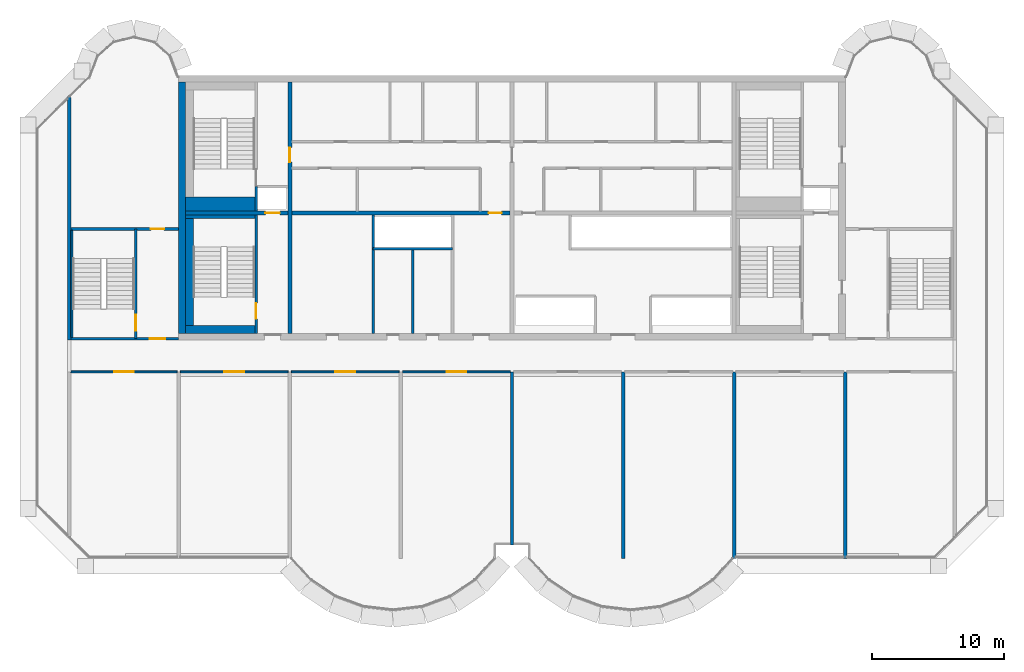
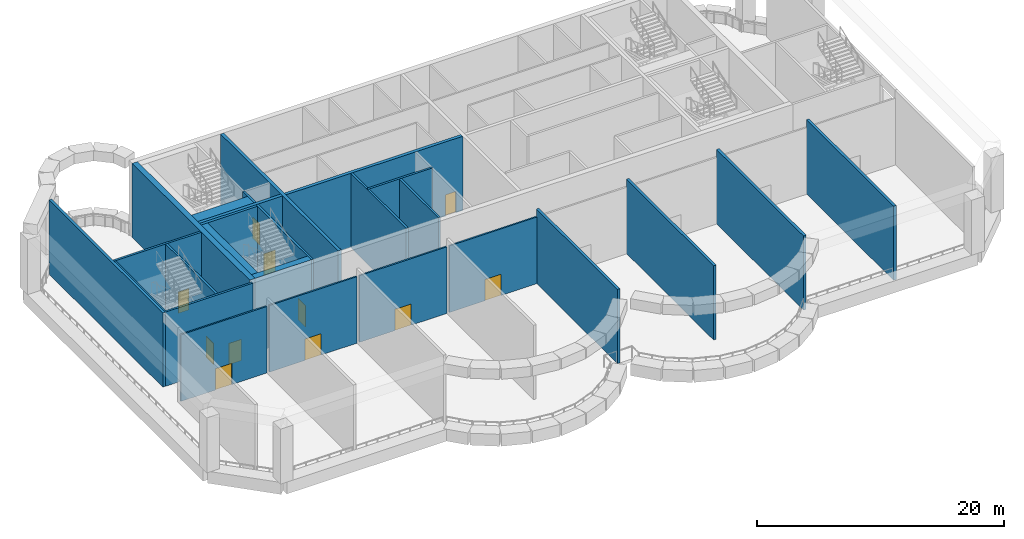
# One storey, part 2 of 11: 26 walls, 11 doors, 11 openings.
"""IFC4 building model written with IfcOpenShell, lengths in metres."""

from ifc_helpers import new_model, si_unit, direction, frame, frame_2d, origin, place, context, subcontext, project, spatial, rectangle, extrude, source, transform, mapped, material, layer, layer_set, type_object, element, fill, save


model = new_model("IFC4")

# Units and contexts
model_context = context("Model", 3, precision=1e-05, world=origin(), true_north=direction((0.0, 1.0)))
body_context = subcontext(model_context, "Body", "Model", "MODEL_VIEW")
ifc_project = project(units=[si_unit("LENGTHUNIT", "METRE"), si_unit("AREAUNIT", "SQUARE_METRE"), si_unit("VOLUMEUNIT", "CUBIC_METRE"), si_unit("PLANEANGLEUNIT", "RADIAN"), si_unit("MASSUNIT", "GRAM", prefix="KILO")], contexts=[model_context])

# Site, building, storey
site_placement = place(None, origin())
site = spatial("IfcSite", under=ifc_project, at=site_placement, CompositionType="ELEMENT")
building_placement = place(site_placement, origin())
building = spatial("IfcBuilding", under=site, at=building_placement, Name="Vanashikhar Sky Hotel", CompositionType="ELEMENT")
storey_placement = place(building_placement, frame((0.0, 0.0, 270.10009765625)))
storey = spatial("IfcBuildingStorey", under=building, at=storey_placement, Name="L65", CompositionType="ELEMENT", Elevation=270.10009765625)

# Wall
ifc_material_1 = material(Name="Concrete M50", Category="concrete")
ifc_layer_1 = layer(ifc_material_1, 0.5)
ifc_layer_set_1 = layer_set([ifc_layer_1], Name="RC core shell wall 500 Concrete M50")
wall_type_1 = type_object("IfcWallType", Name="RC core shell wall 500 Concrete M50", PredefinedType="SHEAR", material=ifc_layer_set_1)
shared_shape_1 = source(origin(), body_context, "Body", "SweptSolid", [
    extrude(rectangle(XDim=19.0, YDim=0.5, at=frame_2d((9.5, 0.0))), origin(), (0.0, 0.0, 1.0), 7.31982421875),
])
wall_1_placement = place(storey_placement, frame((25.449951171875, 22.5, 0.0), z_axis=(0.0, 0.0, 1.0), x_axis=(0.0, 1.0, 0.0)))
element("IfcWall", 1, at=wall_1_placement, inside=storey, type_object=wall_type_1, Name="KW-L65-KW", PredefinedType="SHEAR", context=body_context, shape_type="MappedRepresentation", body=[
    mapped(shared_shape_1, transform((0.0, 0.0, 0.0), scale=1.0)),
])

# Wall, opening, door
ifc_layer_2 = layer(ifc_material_1, 0.300048828125)
ifc_layer_set_2 = layer_set([ifc_layer_2], Name="RC core inner wall 300 Concrete M50")
wall_type_2 = type_object("IfcWallType", Name="RC core inner wall 300 Concrete M50", PredefinedType="SHEAR", material=ifc_layer_set_2)
shared_shape_2 = source(origin(), body_context, "Body", "SweptSolid", [
    extrude(rectangle(XDim=19.0, YDim=0.300048828125, at=frame_2d((9.5, 0.0))), origin(), (0.0, 0.0, 1.0), 7.31982421875),
])
wall_2_placement = place(storey_placement, frame((33.60009765625, 22.5, 0.0), z_axis=(0.0, 0.0, 1.0), x_axis=(0.0, 1.0, 0.0)))
wall_2 = element("IfcWall", 2, at=wall_2_placement, inside=storey, type_object=wall_type_2, Name="KW-L65-KX1", PredefinedType="SHEAR", context=body_context, shape_type="MappedRepresentation", body=[
    mapped(shared_shape_2, transform((0.0, 0.0, 0.0), scale=1.0)),
])
shared_shape_3 = source(origin(), body_context, "Body", "SweptSolid", [
    extrude(rectangle(XDim=1.10009765625, YDim=2.10009765625, at=frame_2d((0.550048828125, 1.050048828125))), frame((0.0, 0.16015625, 0.0), z_axis=(0.0, -1.0, 0.0), x_axis=(1.0, 0.0, 0.0)), (0.0, 0.0, 1.0), 0.320068359375),
])
opening_1_placement = place(wall_2_placement, frame((12.949951171875, 0.0, 0.0)))
opening_1 = element("IfcOpeningElement", 3, at=opening_1_placement, cuts=wall_2, Name="Opening DC-4-C", PredefinedType="OPENING", context=body_context, shape_type="MappedRepresentation", body=[
    mapped(shared_shape_3, transform((0.0, 0.0, 0.0), scale=1.0)),
])
ifc_material_2 = material(Name="Steel", Category="steel")
door_type_1 = type_object("IfcDoorType", Name="Service door 1100 FD60", OperationType="NOTDEFINED", PredefinedType="DOOR", material=ifc_material_2)
shared_shape_4 = source(origin(), body_context, "Body", "SweptSolid", [
    extrude(rectangle(XDim=1.10009765625, YDim=2.10009765625, at=frame_2d((0.550048828125, 1.050048828125))), frame((0.0, 0.02490234375, 0.0), z_axis=(0.0, -1.0, 0.0), x_axis=(1.0, 0.0, 0.0)), (0.0, 0.0, 1.0), 0.050048828125),
])
door_1_placement = place(opening_1_placement, origin())
door_1 = element("IfcDoor", 4, at=door_1_placement, inside=storey, type_object=door_type_1, Name="Service door 1100 FD60", OperationType="SINGLE_SWING_LEFT", OverallHeight=2.10009765625, OverallWidth=1.10009765625, PredefinedType="DOOR", context=body_context, shape_type="MappedRepresentation", body=[
    mapped(shared_shape_4, transform((0.0, 0.0, 0.0), scale=1.0)),
])
fill(opening_1, door_1)

shared_shape_5 = source(origin(), body_context, "Body", "SweptSolid", [
    extrude(rectangle(XDim=7.75, YDim=0.300048828125, at=frame_2d((3.875, 0.0))), origin(), (0.0, 0.0, 1.0), 7.31982421875),
])
wall_3_placement = place(storey_placement, frame((25.699951171875, 31.60009765625, 0.0), z_axis=(0.0, 0.0, 1.0), x_axis=(1.0, 0.0, 0.0)))
wall_3 = element("IfcWall", 5, at=wall_3_placement, inside=storey, type_object=wall_type_2, Name="KW-L65-KY1", PredefinedType="SHEAR", context=body_context, shape_type="MappedRepresentation", body=[
    mapped(shared_shape_5, transform((0.0, 0.0, 0.0), scale=1.0)),
])
opening_2_placement = place(wall_3_placement, frame((6.050048828125, 0.0, 0.0)))
opening_2 = element("IfcOpeningElement", 6, at=opening_2_placement, cuts=wall_3, Name="Opening LD", PredefinedType="OPENING", context=body_context, shape_type="MappedRepresentation", body=[
    mapped(shared_shape_3, transform((0.0, 0.0, 0.0), scale=1.0)),
])
ifc_material_3 = material(Name="Stainless steel", Category="steel")
door_type_2 = type_object("IfcDoorType", Name="Lift landing door 1100", OperationType="NOTDEFINED", PredefinedType="DOOR", material=ifc_material_3)
door_2_placement = place(opening_2_placement, origin())
door_2 = element("IfcDoor", 7, at=door_2_placement, inside=storey, type_object=door_type_2, Name="Lift landing door 1100", OperationType="SLIDING_TO_LEFT", OverallHeight=2.10009765625, OverallWidth=1.10009765625, PredefinedType="DOOR", context=body_context, shape_type="MappedRepresentation", body=[
    mapped(shared_shape_4, transform((0.0, 0.0, 0.0), scale=1.0)),
])
fill(opening_2, door_2)

shared_shape_6 = source(origin(), body_context, "Body", "SweptSolid", [
    extrude(rectangle(XDim=16.5, YDim=0.300048828125, at=frame_2d((8.25, 0.0))), origin(), (0.0, 0.0, 1.0), 7.31982421875),
])
wall_4_placement = place(storey_placement, frame((33.75, 31.60009765625, 0.0), z_axis=(0.0, 0.0, 1.0), x_axis=(1.0, 0.0, 0.0)))
wall_4 = element("IfcWall", 8, at=wall_4_placement, inside=storey, type_object=wall_type_2, Name="KW-L65-KY2", PredefinedType="SHEAR", context=body_context, shape_type="MappedRepresentation", body=[
    mapped(shared_shape_6, transform((0.0, 0.0, 0.0), scale=1.0)),
])
shared_shape_7 = source(origin(), body_context, "Body", "SweptSolid", [
    extrude(rectangle(XDim=1.0, YDim=2.10009765625, at=frame_2d((0.5, 1.050048828125))), frame((0.0, 0.16015625, 0.0), z_axis=(0.0, -1.0, 0.0), x_axis=(1.0, 0.0, 0.0)), (0.0, 0.0, 1.0), 0.320068359375),
])
opening_3_placement = place(wall_4_placement, frame((14.875, 0.0, 0.0)))
opening_3 = element("IfcOpeningElement", 9, at=opening_3_placement, cuts=wall_4, Name="Opening DC-4", PredefinedType="OPENING", context=body_context, shape_type="MappedRepresentation", body=[
    mapped(shared_shape_7, transform((0.0, 0.0, 0.0), scale=1.0)),
])
door_type_3 = type_object("IfcDoorType", Name="Service door 1000 FD60", OperationType="NOTDEFINED", PredefinedType="DOOR", material=ifc_material_2)
shared_shape_8 = source(origin(), body_context, "Body", "SweptSolid", [
    extrude(rectangle(XDim=1.0, YDim=2.10009765625, at=frame_2d((0.5, 1.050048828125))), frame((0.0, 0.02490234375, 0.0), z_axis=(0.0, -1.0, 0.0), x_axis=(1.0, 0.0, 0.0)), (0.0, 0.0, 1.0), 0.050048828125),
])
door_3_placement = place(opening_3_placement, origin())
door_3 = element("IfcDoor", 10, at=door_3_placement, inside=storey, type_object=door_type_3, Name="Service door 1000 FD60", OperationType="SINGLE_SWING_LEFT", OverallHeight=2.10009765625, OverallWidth=1.0, PredefinedType="DOOR", context=body_context, shape_type="MappedRepresentation", body=[
    mapped(shared_shape_8, transform((0.0, 0.0, 0.0), scale=1.0)),
])
fill(opening_3, door_3)

# Walls
ifc_layer_3 = layer(ifc_material_1, 0.25)
ifc_layer_set_3 = layer_set([ifc_layer_3], Name="RC shear wall 250 Concrete M50")
wall_type_3 = type_object("IfcWallType", Name="RC shear wall 250 Concrete M50", PredefinedType="SHEAR", material=ifc_layer_set_3)
shared_shape_9 = source(origin(), body_context, "Body", "SweptSolid", [
    extrude(rectangle(XDim=18.39990234375, YDim=0.25, at=frame_2d((9.199951171875, 0.0))), origin(), (0.0, 0.0, 1.0), 7.31982421875),
])
wall_5_placement = place(storey_placement, frame((16.925048828125, 22.0, 0.0), z_axis=(0.0, 0.0, 1.0), x_axis=(0.0, 1.0, 0.0)))
element("IfcWall", 11, at=wall_5_placement, inside=storey, type_object=wall_type_3, Name="CW-L65-XW03-2", PredefinedType="SHEAR", context=body_context, shape_type="MappedRepresentation", body=[
    mapped(shared_shape_9, transform((0.0, 0.0, 0.0), scale=1.0)),
])
shared_shape_10 = source(origin(), body_context, "Body", "SweptSolid", [
    extrude(rectangle(XDim=14.10009765625, YDim=0.25, at=frame_2d((7.050048828125, 0.0))), origin(), (0.0, 0.0, 1.0), 7.31982421875),
])
for number, where, z_axis, x_axis, name in (
    (12, (58.800048828125, 5.5, 0.0), (0.0, 0.0, 1.0), (0.0, 1.0, 0.0), "CW-L65-XW08-1"),
    (13, (67.199951171875, 5.5, 0.0), (0.0, 0.0, 1.0), (0.0, 1.0, 0.0), "CW-L65-XW09-1"),
    (14, (75.60009765625, 5.5, 0.0), (0.0, 0.0, 1.0), (0.0, 1.0, 0.0), "CW-L65-XW10-1"),
):
    element("IfcWall", number, at=place(storey_placement, frame(where, z_axis=z_axis, x_axis=x_axis)), inside=storey, type_object=wall_type_3, Name=name, PredefinedType="SHEAR", context=body_context, shape_type="MappedRepresentation", body=[
        mapped(shared_shape_10, transform((0.0, 0.0, 0.0), scale=1.0)),
    ])
shared_shape_11 = source(origin(), body_context, "Body", "SweptSolid", [
    extrude(rectangle(XDim=13.10009765625, YDim=0.25, at=frame_2d((6.550048828125, 0.0))), origin(), (0.0, 0.0, 1.0), 7.31982421875),
])
wall_6_placement = place(storey_placement, frame((50.39990234375, 6.5, 0.0), z_axis=(0.0, 0.0, 1.0), x_axis=(0.0, 1.0, 0.0)))
element("IfcWall", 15, at=wall_6_placement, inside=storey, type_object=wall_type_3, Name="CW-L65-XW07-1", PredefinedType="SHEAR", context=body_context, shape_type="MappedRepresentation", body=[
    mapped(shared_shape_11, transform((0.0, 0.0, 0.0), scale=1.0)),
])
ifc_material_4 = material(Name="Concrete M40", Category="concrete")
ifc_layer_4 = layer(ifc_material_4, 0.199951171875)
ifc_layer_set_4 = layer_set([ifc_layer_4], Name="Shaft wall 200")
wall_type_4 = type_object("IfcWallType", Name="Shaft wall 200", PredefinedType="SOLIDWALL", material=ifc_layer_set_4)
shared_shape_12 = source(origin(), body_context, "Body", "SweptSolid", [
    extrude(rectangle(XDim=6.0, YDim=0.199951171875, at=frame_2d((3.0, 0.0))), origin(), (0.0, 0.0, 1.0), 7.31982421875),
])
wall_7_placement = place(storey_placement, frame((39.89990234375, 28.89990234375, 0.0), z_axis=(0.0, 0.0, 1.0), x_axis=(1.0, 0.0, 0.0)))
element("IfcWall", 16, at=wall_7_placement, inside=storey, type_object=wall_type_4, Name="Shaft wall 200", PredefinedType="SOLIDWALL", context=body_context, shape_type="MappedRepresentation", body=[
    mapped(shared_shape_12, transform((0.0, 0.0, 0.0), scale=1.0)),
])
ifc_material_5 = material(Name="Gypsum board partition")
ifc_layer_5 = layer(ifc_material_5, 0.14990234375)
ifc_layer_set_5 = layer_set([ifc_layer_5], Name="Service partition 150")
wall_type_5 = type_object("IfcWallType", Name="Service partition 150", PredefinedType="PARTITIONING", material=ifc_layer_set_5)
shared_shape_13 = source(origin(), body_context, "Body", "SweptSolid", [
    extrude(rectangle(XDim=8.949951171875, YDim=0.199951171875, at=frame_2d((4.47509765625, 0.0))), origin(), (0.0, 0.0, 1.0), 7.31982421875),
])
wall_8_placement = place(storey_placement, frame((39.89990234375, 22.5, 0.0), z_axis=(0.0, 0.0, 1.0), x_axis=(0.0, 1.0, 0.0)))
element("IfcWall", 17, at=wall_8_placement, inside=storey, type_object=wall_type_5, Name="Service partition 150", PredefinedType="PARTITIONING", context=body_context, shape_type="MappedRepresentation", body=[
    mapped(shared_shape_13, transform((0.0, 0.0, 0.0), scale=1.0)),
])
shared_shape_14 = source(origin(), body_context, "Body", "SweptSolid", [
    extrude(rectangle(XDim=6.39990234375, YDim=0.199951171875, at=frame_2d((3.199951171875, 0.0))), origin(), (0.0, 0.0, 1.0), 7.31982421875),
])
wall_9_placement = place(storey_placement, frame((42.89990234375, 22.5, 0.0), z_axis=(0.0, 0.0, 1.0), x_axis=(0.0, 1.0, 0.0)))
element("IfcWall", 18, at=wall_9_placement, inside=storey, type_object=wall_type_5, Name="Service partition 150", PredefinedType="PARTITIONING", context=body_context, shape_type="MappedRepresentation", body=[
    mapped(shared_shape_14, transform((0.0, 0.0, 0.0), scale=1.0)),
])

# Wall, opening, door
ifc_layer_6 = layer(ifc_material_1, 0.199951171875)
ifc_layer_set_6 = layer_set([ifc_layer_6], Name="Stair wall 200")
wall_type_6 = type_object("IfcWallType", Name="Stair wall 200", PredefinedType="SOLIDWALL", material=ifc_layer_set_6)
shared_shape_15 = source(origin(), body_context, "Body", "SweptSolid", [
    extrude(rectangle(XDim=8.949951171875, YDim=0.199951171875, at=frame_2d((4.47509765625, 0.0))), origin(), (0.0, 0.0, 1.0), 7.31982421875),
])
wall_10_placement = place(storey_placement, frame((31.050048828125, 22.5, 0.0), z_axis=(0.0, 0.0, 1.0), x_axis=(0.0, 1.0, 0.0)))
wall_10 = element("IfcWall", 19, at=wall_10_placement, inside=storey, type_object=wall_type_6, Name="Stair wall 200", PredefinedType="SOLIDWALL", context=body_context, shape_type="MappedRepresentation", body=[
    mapped(shared_shape_15, transform((0.0, 0.0, 0.0), scale=1.0)),
])
shared_shape_16 = source(origin(), body_context, "Body", "SweptSolid", [
    extrude(rectangle(XDim=1.199951171875, YDim=2.10009765625, at=frame_2d((0.60009765625, 1.050048828125))), frame((0.0, 0.10986328125, 0.0), z_axis=(0.0, -1.0, 0.0), x_axis=(1.0, 0.0, 0.0)), (0.0, 0.0, 1.0), 0.219970703125),
])
opening_4_placement = place(wall_10_placement, frame((1.10009765625, 0.0, 0.0)))
opening_4 = element("IfcOpeningElement", 20, at=opening_4_placement, cuts=wall_10, Name="Opening DC-1", PredefinedType="OPENING", context=body_context, shape_type="MappedRepresentation", body=[
    mapped(shared_shape_16, transform((0.0, 0.0, 0.0), scale=1.0)),
])
door_type_4 = type_object("IfcDoorType", Name="Stair door 1200 FD120", OperationType="NOTDEFINED", PredefinedType="DOOR", material=ifc_material_2)
shared_shape_17 = source(origin(), body_context, "Body", "SweptSolid", [
    extrude(rectangle(XDim=1.199951171875, YDim=2.10009765625, at=frame_2d((0.60009765625, 1.050048828125))), frame((0.0, 0.02490234375, 0.0), z_axis=(0.0, -1.0, 0.0), x_axis=(1.0, 0.0, 0.0)), (0.0, 0.0, 1.0), 0.050048828125),
])
door_4_placement = place(opening_4_placement, origin())
door_4 = element("IfcDoor", 21, at=door_4_placement, inside=storey, type_object=door_type_4, Name="Stair door 1200 FD120", OperationType="SINGLE_SWING_LEFT", OverallHeight=2.10009765625, OverallWidth=1.199951171875, PredefinedType="DOOR", context=body_context, shape_type="MappedRepresentation", body=[
    mapped(shared_shape_17, transform((0.0, 0.0, 0.0), scale=1.0)),
])
fill(opening_4, door_4)

# Wall
shared_shape_18 = source(origin(), body_context, "Body", "SweptSolid", [
    extrude(rectangle(XDim=1.85009765625, YDim=0.199951171875, at=frame_2d((0.925048828125, 0.0))), origin(), (0.0, 0.0, 1.0), 7.31982421875),
])
wall_11_placement = place(storey_placement, frame((31.050048828125, 31.75, 0.0), z_axis=(0.0, 0.0, 1.0), x_axis=(0.0, 1.0, 0.0)))
element("IfcWall", 22, at=wall_11_placement, inside=storey, type_object=wall_type_4, Name="Shaft wall 200", PredefinedType="SOLIDWALL", context=body_context, shape_type="MappedRepresentation", body=[
    mapped(shared_shape_18, transform((0.0, 0.0, 0.0), scale=1.0)),
])

# Wall, opening, door
shared_shape_19 = source(origin(), body_context, "Body", "SweptSolid", [
    extrude(rectangle(XDim=8.2998046875, YDim=0.199951171875, at=frame_2d((4.14990234375, 0.0))), origin(), (0.0, 0.0, 1.0), 7.31982421875),
])
wall_12_placement = place(storey_placement, frame((21.949951171875, 22.10009765625, 0.0), z_axis=(0.0, 0.0, 1.0), x_axis=(0.0, 1.0, 0.0)))
wall_12 = element("IfcWall", 23, at=wall_12_placement, inside=storey, type_object=wall_type_6, Name="Stair wall 200", PredefinedType="SOLIDWALL", context=body_context, shape_type="MappedRepresentation", body=[
    mapped(shared_shape_19, transform((0.0, 0.0, 0.0), scale=1.0)),
])
opening_5_placement = place(wall_12_placement, frame((0.60009765625, 0.0, 0.0)))
opening_5 = element("IfcOpeningElement", 24, at=opening_5_placement, cuts=wall_12, Name="Opening DC-1", PredefinedType="OPENING", context=body_context, shape_type="MappedRepresentation", body=[
    mapped(shared_shape_16, transform((0.0, 0.0, 0.0), scale=1.0)),
])
door_5_placement = place(opening_5_placement, origin())
door_5 = element("IfcDoor", 25, at=door_5_placement, inside=storey, type_object=door_type_4, Name="Stair door 1200 FD120", OperationType="SINGLE_SWING_RIGHT", OverallHeight=2.10009765625, OverallWidth=1.199951171875, PredefinedType="DOOR", context=body_context, shape_type="MappedRepresentation", body=[
    mapped(shared_shape_17, transform((0.0, 0.0, 0.0), scale=1.0)),
])
fill(opening_5, door_5)

shared_shape_20 = source(origin(), body_context, "Body", "SweptSolid", [
    extrude(rectangle(XDim=8.14990234375, YDim=0.199951171875, at=frame_2d((4.074951171875, 0.0))), origin(), (0.0, 0.0, 1.0), 7.31982421875),
])
wall_13_placement = place(storey_placement, frame((17.050048828125, 22.10009765625, 0.0), z_axis=(0.0, 0.0, 1.0), x_axis=(1.0, 0.0, 0.0)))
wall_13 = element("IfcWall", 26, at=wall_13_placement, inside=storey, type_object=wall_type_6, Name="Stair wall 200", PredefinedType="SOLIDWALL", context=body_context, shape_type="MappedRepresentation", body=[
    mapped(shared_shape_20, transform((0.0, 0.0, 0.0), scale=1.0)),
])
opening_6_placement = place(wall_13_placement, frame((5.949951171875, 0.0, 0.0)))
opening_6 = element("IfcOpeningElement", 27, at=opening_6_placement, cuts=wall_13, Name="Opening DC-2", PredefinedType="OPENING", context=body_context, shape_type="MappedRepresentation", body=[
    mapped(shared_shape_16, transform((0.0, 0.0, 0.0), scale=1.0)),
])
door_type_5 = type_object("IfcDoorType", Name="Firefighting lobby door 1200 FD120", OperationType="NOTDEFINED", PredefinedType="DOOR", material=ifc_material_2)
door_6_placement = place(opening_6_placement, origin())
door_6 = element("IfcDoor", 28, at=door_6_placement, inside=storey, type_object=door_type_5, Name="Firefighting lobby door 1200 FD120", OperationType="SINGLE_SWING_LEFT", OverallHeight=2.10009765625, OverallWidth=1.199951171875, PredefinedType="DOOR", context=body_context, shape_type="MappedRepresentation", body=[
    mapped(shared_shape_17, transform((0.0, 0.0, 0.0), scale=1.0)),
])
fill(opening_6, door_6)

wall_14_placement = place(storey_placement, frame((17.050048828125, 30.39990234375, 0.0), z_axis=(0.0, 0.0, 1.0), x_axis=(1.0, 0.0, 0.0)))
wall_14 = element("IfcWall", 29, at=wall_14_placement, inside=storey, type_object=wall_type_6, Name="Stair wall 200", PredefinedType="SOLIDWALL", context=body_context, shape_type="MappedRepresentation", body=[
    mapped(shared_shape_20, transform((0.0, 0.0, 0.0), scale=1.0)),
])
shared_shape_21 = source(origin(), body_context, "Body", "SweptSolid", [
    extrude(rectangle(XDim=1.0, YDim=2.10009765625, at=frame_2d((0.5, 1.050048828125))), frame((0.0, 0.10986328125, 0.0), z_axis=(0.0, -1.0, 0.0), x_axis=(1.0, 0.0, 0.0)), (0.0, 0.0, 1.0), 0.219970703125),
])
opening_7_placement = place(wall_14_placement, frame((6.050048828125, 0.0, 0.0)))
opening_7 = element("IfcOpeningElement", 30, at=opening_7_placement, cuts=wall_14, Name="Opening DC-6", PredefinedType="OPENING", context=body_context, shape_type="MappedRepresentation", body=[
    mapped(shared_shape_21, transform((0.0, 0.0, 0.0), scale=1.0)),
])
door_type_6 = type_object("IfcDoorType", Name="Pocket door 1000 FD60", OperationType="NOTDEFINED", PredefinedType="DOOR", material=ifc_material_2)
door_7_placement = place(opening_7_placement, origin())
door_7 = element("IfcDoor", 31, at=door_7_placement, inside=storey, type_object=door_type_6, Name="Pocket door 1000 FD60", OperationType="SINGLE_SWING_LEFT", OverallHeight=2.10009765625, OverallWidth=1.0, PredefinedType="DOOR", context=body_context, shape_type="MappedRepresentation", body=[
    mapped(shared_shape_8, transform((0.0, 0.0, 0.0), scale=1.0)),
])
fill(opening_7, door_7)

# Walls
ifc_layer_7 = layer(ifc_material_1, 0.60009765625)
ifc_layer_set_7 = layer_set([ifc_layer_7], Name="Stair infill wall 600")
wall_type_7 = type_object("IfcWallType", Name="Stair infill wall 600", PredefinedType="SOLIDWALL", material=ifc_layer_set_7)
shared_shape_22 = source(origin(), body_context, "Body", "SweptSolid", [
    extrude(rectangle(XDim=5.25, YDim=0.60009765625, at=frame_2d((2.625, 0.0))), origin(), (0.0, 0.0, 1.0), 7.31982421875),
])
wall_15_placement = place(storey_placement, frame((25.699951171875, 22.800048828125, 0.0), z_axis=(0.0, 0.0, 1.0), x_axis=(1.0, 0.0, 0.0)))
element("IfcWall", 32, at=wall_15_placement, inside=storey, type_object=wall_type_7, Name="Stair infill wall 600", PredefinedType="SOLIDWALL", context=body_context, shape_type="MappedRepresentation", body=[
    mapped(shared_shape_22, transform((0.0, 0.0, 0.0), scale=1.0)),
])
ifc_layer_8 = layer(ifc_material_1, 0.25)
ifc_layer_set_8 = layer_set([ifc_layer_8], Name="Stair infill wall 250")
wall_type_8 = type_object("IfcWallType", Name="Stair infill wall 250", PredefinedType="SOLIDWALL", material=ifc_layer_set_8)
shared_shape_23 = source(origin(), body_context, "Body", "SweptSolid", [
    extrude(rectangle(XDim=5.25, YDim=0.25, at=frame_2d((2.625, 0.0))), origin(), (0.0, 0.0, 1.0), 7.31982421875),
])
wall_16_placement = place(storey_placement, frame((25.699951171875, 31.324951171875, 0.0), z_axis=(0.0, 0.0, 1.0), x_axis=(1.0, 0.0, 0.0)))
element("IfcWall", 33, at=wall_16_placement, inside=storey, type_object=wall_type_8, Name="Stair infill wall 250", PredefinedType="SOLIDWALL", context=body_context, shape_type="MappedRepresentation", body=[
    mapped(shared_shape_23, transform((0.0, 0.0, 0.0), scale=1.0)),
])
shared_shape_24 = source(origin(), body_context, "Body", "SweptSolid", [
    extrude(rectangle(XDim=8.099853515625, YDim=0.60009765625, at=frame_2d((4.0498046875, 0.0))), origin(), (0.0, 0.0, 1.0), 7.31982421875),
])
wall_17_placement = place(storey_placement, frame((26.0, 23.10009765625, 0.0), z_axis=(0.0, 0.0, 1.0), x_axis=(0.0, 1.0, 0.0)))
element("IfcWall", 34, at=wall_17_placement, inside=storey, type_object=wall_type_7, Name="Stair infill wall 600", PredefinedType="SOLIDWALL", context=body_context, shape_type="MappedRepresentation", body=[
    mapped(shared_shape_24, transform((0.0, 0.0, 0.0), scale=1.0)),
])
ifc_layer_9 = layer(ifc_material_1, 0.14990234375)
ifc_layer_set_9 = layer_set([ifc_layer_9], Name="Stair infill wall 150")
wall_type_9 = type_object("IfcWallType", Name="Stair infill wall 150", PredefinedType="SOLIDWALL", material=ifc_layer_set_9)
shared_shape_25 = source(origin(), body_context, "Body", "SweptSolid", [
    extrude(rectangle(XDim=8.10009765625, YDim=0.14990234375, at=frame_2d((4.050048828125, 0.0))), origin(), (0.0, 0.0, 1.0), 7.31982421875),
])
wall_18_placement = place(storey_placement, frame((17.125, 22.199951171875, 0.0), z_axis=(0.0, 0.0, 1.0), x_axis=(0.0, 1.0, 0.0)))
element("IfcWall", 35, at=wall_18_placement, inside=storey, type_object=wall_type_9, Name="Stair infill wall 150", PredefinedType="SOLIDWALL", context=body_context, shape_type="MappedRepresentation", body=[
    mapped(shared_shape_25, transform((0.0, 0.0, 0.0), scale=1.0)),
])
ifc_layer_10 = layer(ifc_material_1, 1.050048828125)
ifc_layer_set_10 = layer_set([ifc_layer_10], Name="Stair infill wall 1050")
wall_type_10 = type_object("IfcWallType", Name="Stair infill wall 1050", PredefinedType="SOLIDWALL", material=ifc_layer_set_10)
shared_shape_26 = source(origin(), body_context, "Body", "SweptSolid", [
    extrude(rectangle(XDim=5.25, YDim=1.050048828125, at=frame_2d((2.625, 0.0))), origin(), (0.0, 0.0, 1.0), 7.31982421875),
])
wall_19_placement = place(storey_placement, frame((25.699951171875, 32.27490234375, 0.0), z_axis=(0.0, 0.0, 1.0), x_axis=(1.0, 0.0, 0.0)))
element("IfcWall", 36, at=wall_19_placement, inside=storey, type_object=wall_type_10, Name="Stair infill wall 1050", PredefinedType="SOLIDWALL", context=body_context, shape_type="MappedRepresentation", body=[
    mapped(shared_shape_26, transform((0.0, 0.0, 0.0), scale=1.0)),
])

# Wall, opening, door
shared_shape_27 = source(origin(), body_context, "Body", "SweptSolid", [
    extrude(rectangle(XDim=8.02490234375, YDim=0.14990234375, at=frame_2d((4.012451171875, 0.0))), origin(), (0.0, 0.0, 1.0), 6.56982421875),
])
wall_20_placement = place(storey_placement, frame((17.050048828125, 19.60009765625, 0.0), z_axis=(0.0, 0.0, 1.0), x_axis=(1.0, 0.0, 0.0)))
wall_20 = element("IfcWall", 37, at=wall_20_placement, inside=storey, type_object=wall_type_5, Name="Service partition 150", PredefinedType="PARTITIONING", context=body_context, shape_type="MappedRepresentation", body=[
    mapped(shared_shape_27, transform((0.0, 0.0, 0.0), scale=1.0)),
])
shared_shape_28 = source(origin(), body_context, "Body", "SweptSolid", [
    extrude(rectangle(XDim=1.5, YDim=2.10009765625, at=frame_2d((0.75, 1.050048828125))), frame((0.0, 0.0849609375, 0.0), z_axis=(0.0, -1.0, 0.0), x_axis=(1.0, 0.0, 0.0)), (0.0, 0.0, 1.0), 0.169921875),
])
opening_8_placement = place(wall_20_placement, frame((3.261962890625, 0.0, 0.0)))
opening_8 = element("IfcOpeningElement", 38, at=opening_8_placement, cuts=wall_20, Name="Opening DC-4-E", PredefinedType="OPENING", context=body_context, shape_type="MappedRepresentation", body=[
    mapped(shared_shape_28, transform((0.0, 0.0, 0.0), scale=1.0)),
])
door_type_7 = type_object("IfcDoorType", Name="Service door 1500 FD60", OperationType="NOTDEFINED", PredefinedType="DOOR", material=ifc_material_2)
shared_shape_29 = source(origin(), body_context, "Body", "SweptSolid", [
    extrude(rectangle(XDim=1.5, YDim=2.10009765625, at=frame_2d((0.75, 1.050048828125))), frame((0.0, 0.02490234375, 0.0), z_axis=(0.0, -1.0, 0.0), x_axis=(1.0, 0.0, 0.0)), (0.0, 0.0, 1.0), 0.050048828125),
])
door_8_placement = place(opening_8_placement, origin())
door_8 = element("IfcDoor", 39, at=door_8_placement, inside=storey, type_object=door_type_7, Name="Service door 1500 FD60", OperationType="SINGLE_SWING_RIGHT", OverallHeight=2.10009765625, OverallWidth=1.5, PredefinedType="DOOR", context=body_context, shape_type="MappedRepresentation", body=[
    mapped(shared_shape_29, transform((0.0, 0.0, 0.0), scale=1.0)),
])
fill(opening_8, door_8)

shared_shape_30 = source(origin(), body_context, "Body", "SweptSolid", [
    extrude(rectangle(XDim=8.150146484375, YDim=0.14990234375, at=frame_2d((4.0751953125, 0.0))), origin(), (0.0, 0.0, 1.0), 6.56982421875),
])
wall_21_placement = place(storey_placement, frame((25.324951171875, 19.60009765625, 0.0), z_axis=(0.0, 0.0, 1.0), x_axis=(1.0, 0.0, 0.0)))
wall_21 = element("IfcWall", 40, at=wall_21_placement, inside=storey, type_object=wall_type_5, Name="Service partition 150", PredefinedType="PARTITIONING", context=body_context, shape_type="MappedRepresentation", body=[
    mapped(shared_shape_30, transform((0.0, 0.0, 0.0), scale=1.0)),
])
opening_9_placement = place(wall_21_placement, frame((3.324951171875, 0.0, 0.0)))
opening_9 = element("IfcOpeningElement", 41, at=opening_9_placement, cuts=wall_21, Name="Opening DC-4-E", PredefinedType="OPENING", context=body_context, shape_type="MappedRepresentation", body=[
    mapped(shared_shape_28, transform((0.0, 0.0, 0.0), scale=1.0)),
])
door_9_placement = place(opening_9_placement, origin())
door_9 = element("IfcDoor", 42, at=door_9_placement, inside=storey, type_object=door_type_7, Name="Service door 1500 FD60", OperationType="SINGLE_SWING_RIGHT", OverallHeight=2.10009765625, OverallWidth=1.5, PredefinedType="DOOR", context=body_context, shape_type="MappedRepresentation", body=[
    mapped(shared_shape_29, transform((0.0, 0.0, 0.0), scale=1.0)),
])
fill(opening_9, door_9)

shared_shape_31 = source(origin(), body_context, "Body", "SweptSolid", [
    extrude(rectangle(XDim=8.14990234375, YDim=0.14990234375, at=frame_2d((4.074951171875, 0.0))), origin(), (0.0, 0.0, 1.0), 6.56982421875),
])
wall_22_placement = place(storey_placement, frame((33.72509765625, 19.60009765625, 0.0), z_axis=(0.0, 0.0, 1.0), x_axis=(1.0, 0.0, 0.0)))
wall_22 = element("IfcWall", 43, at=wall_22_placement, inside=storey, type_object=wall_type_5, Name="Service partition 150", PredefinedType="PARTITIONING", context=body_context, shape_type="MappedRepresentation", body=[
    mapped(shared_shape_31, transform((0.0, 0.0, 0.0), scale=1.0)),
])
opening_10_placement = place(wall_22_placement, frame((3.324951171875, 0.0, 0.0)))
opening_10 = element("IfcOpeningElement", 44, at=opening_10_placement, cuts=wall_22, Name="Opening DC-4-E", PredefinedType="OPENING", context=body_context, shape_type="MappedRepresentation", body=[
    mapped(shared_shape_28, transform((0.0, 0.0, 0.0), scale=1.0)),
])
door_10_placement = place(opening_10_placement, origin())
door_10 = element("IfcDoor", 45, at=door_10_placement, inside=storey, type_object=door_type_7, Name="Service door 1500 FD60", OperationType="SINGLE_SWING_LEFT", OverallHeight=2.10009765625, OverallWidth=1.5, PredefinedType="DOOR", context=body_context, shape_type="MappedRepresentation", body=[
    mapped(shared_shape_29, transform((0.0, 0.0, 0.0), scale=1.0)),
])
fill(opening_10, door_10)

wall_23_placement = place(storey_placement, frame((42.125, 19.60009765625, 0.0), z_axis=(0.0, 0.0, 1.0), x_axis=(1.0, 0.0, 0.0)))
wall_23 = element("IfcWall", 46, at=wall_23_placement, inside=storey, type_object=wall_type_5, Name="Service partition 150", PredefinedType="PARTITIONING", context=body_context, shape_type="MappedRepresentation", body=[
    mapped(shared_shape_31, transform((0.0, 0.0, 0.0), scale=1.0)),
])
opening_11_placement = place(wall_23_placement, frame((3.324951171875, 0.0, 0.0)))
opening_11 = element("IfcOpeningElement", 47, at=opening_11_placement, cuts=wall_23, Name="Opening DC-4-E", PredefinedType="OPENING", context=body_context, shape_type="MappedRepresentation", body=[
    mapped(shared_shape_28, transform((0.0, 0.0, 0.0), scale=1.0)),
])
door_11_placement = place(opening_11_placement, origin())
door_11 = element("IfcDoor", 48, at=door_11_placement, inside=storey, type_object=door_type_7, Name="Service door 1500 FD60", OperationType="SINGLE_SWING_RIGHT", OverallHeight=2.10009765625, OverallWidth=1.5, PredefinedType="DOOR", context=body_context, shape_type="MappedRepresentation", body=[
    mapped(shared_shape_29, transform((0.0, 0.0, 0.0), scale=1.0)),
])
fill(opening_11, door_11)

save(model, "model.ifc")
